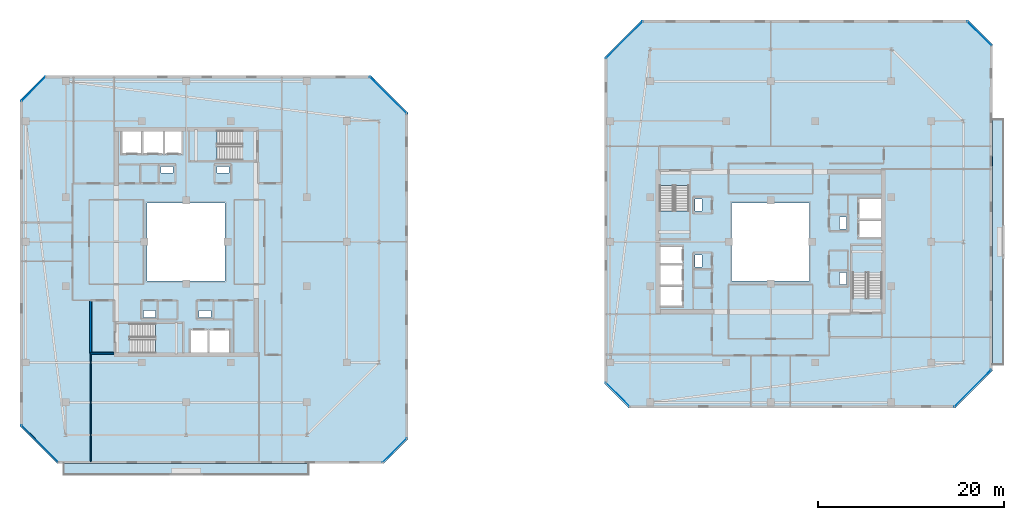
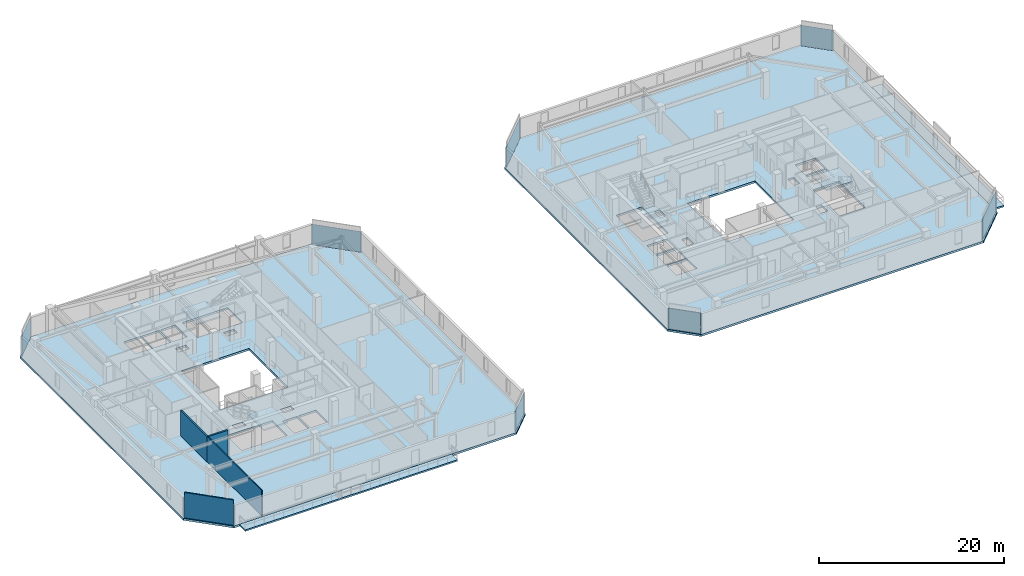
# One storey, part 20 of 34: 8 plates, 8 slabs, 4 walls, 12 elements without a shape of their own.
"""IFC4 building model written with IfcOpenShell, lengths in metres."""

from ifc_helpers import new_model, si_unit, direction, frame, frame_2d, origin, origin_2d, place, context, subcontext, project, spatial, polyline, rectangle, outline, extrude, material, layer, layer_set, type_object, element, aggregate, save


model = new_model("IFC4")

# Units and contexts
model_context = context("Model", 3, precision=1e-05, world=origin(), true_north=direction((0.0, 1.0)))
body_context = subcontext(model_context, "Body", "Model", "MODEL_VIEW")
ifc_project = project(units=[si_unit("LENGTHUNIT", "METRE"), si_unit("AREAUNIT", "SQUARE_METRE"), si_unit("VOLUMEUNIT", "CUBIC_METRE"), si_unit("PLANEANGLEUNIT", "RADIAN"), si_unit("MASSUNIT", "GRAM", prefix="KILO")], contexts=[model_context])

# Site, building, storey
site_placement = place(None, origin())
site = spatial("IfcSite", under=ifc_project, at=site_placement, CompositionType="ELEMENT")
building_placement = place(site_placement, origin())
building = spatial("IfcBuilding", under=site, at=building_placement, Name="Thornwick Lancets Civic Towers", CompositionType="ELEMENT")
storey_placement = place(building_placement, frame((0.0, 0.0, 258.300048828125)))
storey = spatial("IfcBuildingStorey", under=building, at=storey_placement, Name="L69", CompositionType="ELEMENT", Elevation=258.300048828125)

# Curtain wall, plate
ifc_material_1 = material(Name="High-zone chamfered-corner unitised glass curtain wall", Category="glass")
curtain_wall_type = type_object("IfcCurtainWallType", Name="CW_SYS_05", PredefinedType="NOTDEFINED", material=ifc_material_1)
curtain_wall_1_placement = place(storey_placement, origin())
curtain_wall_1 = element("IfcCurtainWall", 1, at=curtain_wall_1_placement, inside=storey, type_object=curtain_wall_type, Name="L69 Curtain Wall CW-L69-A-E1", PredefinedType="NOTDEFINED")
ifc_material_2 = material(Name="Low-e double glazing clear glass", Category="glass")
ifc_layer_1 = layer(ifc_material_2, 0.035888671875, Name="Low-e double glazing clear glass")
ifc_layer_set_1 = layer_set([ifc_layer_1], Name="Low-e double glazing clear glass")
plate_type = type_object("IfcPlateType", Name="CW_PNL_GLASS", PredefinedType="CURTAIN_PANEL", material=ifc_layer_set_1)
plate_1_placement = place(storey_placement, frame((47.972900390625, 4.527099609375, 0.0), z_axis=(0.0, 0.0, 1.0), x_axis=(0.707106781187, 0.707106781187, 0.0)))
plate_1 = element("IfcPlate", 2, at=plate_1_placement, type_object=plate_type, Name="CW-L69-A-E1 Panel 0", PredefinedType="CURTAIN_PANEL", context=body_context, shape_type="SweptSolid", body=[
    extrude(rectangle(XDim=3.649169921875, YDim=0.035888671875, at=origin_2d()), origin(), (0.0, 0.0, 1.0), 2.699951171875),
])
aggregate(curtain_wall_1, [plate_1])

curtain_wall_2_placement = place(storey_placement, origin())
curtain_wall_2 = element("IfcCurtainWall", 3, at=curtain_wall_2_placement, inside=storey, type_object=curtain_wall_type, Name="L69 Curtain Wall CW-L69-A-E3", PredefinedType="NOTDEFINED")
plate_2_placement = place(storey_placement, frame((47.281005859375, 42.781005859375, 0.0), z_axis=(0.0, 0.0, 1.0), x_axis=(-0.707106781187, 0.707106781187, 0.0)))
plate_2 = element("IfcPlate", 4, at=plate_2_placement, type_object=plate_type, Name="CW-L69-A-E3 Panel 0", PredefinedType="CURTAIN_PANEL", context=body_context, shape_type="SweptSolid", body=[
    extrude(rectangle(XDim=5.593994140625, YDim=0.035888671875, at=origin_2d()), origin(), (0.0, 0.0, 1.0), 2.699951171875),
])
aggregate(curtain_wall_2, [plate_2])

curtain_wall_3_placement = place(storey_placement, origin())
curtain_wall_3 = element("IfcCurtainWall", 5, at=curtain_wall_3_placement, inside=storey, type_object=curtain_wall_type, Name="L69 Curtain Wall CW-L69-A-E5", PredefinedType="NOTDEFINED")
plate_3_placement = place(storey_placement, frame((9.027099609375, 43.472900390625, 0.0), z_axis=(0.0, 0.0, 1.0), x_axis=(-0.707106781187, -0.707106781187, 0.0)))
plate_3 = element("IfcPlate", 6, at=plate_3_placement, type_object=plate_type, Name="CW-L69-A-E5 Panel 0", PredefinedType="CURTAIN_PANEL", context=body_context, shape_type="SweptSolid", body=[
    extrude(rectangle(XDim=3.649169921875, YDim=0.035888671875, at=origin_2d()), origin(), (0.0, 0.0, 1.0), 2.699951171875),
])
aggregate(curtain_wall_3, [plate_3])

curtain_wall_4_placement = place(storey_placement, origin())
curtain_wall_4 = element("IfcCurtainWall", 7, at=curtain_wall_4_placement, inside=storey, type_object=curtain_wall_type, Name="L69 Curtain Wall CW-L69-A-E7", PredefinedType="NOTDEFINED")
plate_4_placement = place(storey_placement, frame((9.718994140625, 5.218994140625, 0.0), z_axis=(0.0, 0.0, 1.0), x_axis=(0.707106781187, -0.707106781187, 0.0)))
plate_4 = element("IfcPlate", 8, at=plate_4_placement, type_object=plate_type, Name="CW-L69-A-E7 Panel 0", PredefinedType="CURTAIN_PANEL", context=body_context, shape_type="SweptSolid", body=[
    extrude(rectangle(XDim=5.593994140625, YDim=0.035888671875, at=origin_2d()), origin(), (0.0, 0.0, 1.0), 2.699951171875),
])
aggregate(curtain_wall_4, [plate_4])

curtain_wall_5_placement = place(storey_placement, origin())
curtain_wall_5 = element("IfcCurtainWall", 9, at=curtain_wall_5_placement, inside=storey, type_object=curtain_wall_type, Name="L69 Curtain Wall CW-L69-B-E1", PredefinedType="NOTDEFINED")
plate_5_placement = place(storey_placement, frame((110.281005859375, 11.218994140625, 0.0), z_axis=(0.0, 0.0, 1.0), x_axis=(0.707106781187, 0.707106781187, 0.0)))
plate_5 = element("IfcPlate", 10, at=plate_5_placement, type_object=plate_type, Name="CW-L69-B-E1 Panel 0", PredefinedType="CURTAIN_PANEL", context=body_context, shape_type="SweptSolid", body=[
    extrude(rectangle(XDim=5.593994140625, YDim=0.035888671875, at=origin_2d()), origin(), (0.0, 0.0, 1.0), 2.699951171875),
])
aggregate(curtain_wall_5, [plate_5])

curtain_wall_6_placement = place(storey_placement, origin())
curtain_wall_6 = element("IfcCurtainWall", 11, at=curtain_wall_6_placement, inside=storey, type_object=curtain_wall_type, Name="L69 Curtain Wall CW-L69-B-E3", PredefinedType="NOTDEFINED")
plate_6_placement = place(storey_placement, frame((110.972900390625, 49.472900390625, 0.0), z_axis=(0.0, 0.0, 1.0), x_axis=(-0.707106781187, 0.707106781187, 0.0)))
plate_6 = element("IfcPlate", 12, at=plate_6_placement, type_object=plate_type, Name="CW-L69-B-E3 Panel 0", PredefinedType="CURTAIN_PANEL", context=body_context, shape_type="SweptSolid", body=[
    extrude(rectangle(XDim=3.649169921875, YDim=0.035888671875, at=origin_2d()), origin(), (0.0, 0.0, 1.0), 2.699951171875),
])
aggregate(curtain_wall_6, [plate_6])

curtain_wall_7_placement = place(storey_placement, origin())
curtain_wall_7 = element("IfcCurtainWall", 13, at=curtain_wall_7_placement, inside=storey, type_object=curtain_wall_type, Name="L69 Curtain Wall CW-L69-B-E5", PredefinedType="NOTDEFINED")
plate_7_placement = place(storey_placement, frame((72.718994140625, 48.781005859375, 0.0), z_axis=(0.0, 0.0, 1.0), x_axis=(-0.707106781187, -0.707106781187, 0.0)))
plate_7 = element("IfcPlate", 14, at=plate_7_placement, type_object=plate_type, Name="CW-L69-B-E5 Panel 0", PredefinedType="CURTAIN_PANEL", context=body_context, shape_type="SweptSolid", body=[
    extrude(rectangle(XDim=5.593994140625, YDim=0.035888671875, at=origin_2d()), origin(), (0.0, 0.0, 1.0), 2.699951171875),
])
aggregate(curtain_wall_7, [plate_7])

curtain_wall_8_placement = place(storey_placement, origin())
curtain_wall_8 = element("IfcCurtainWall", 15, at=curtain_wall_8_placement, inside=storey, type_object=curtain_wall_type, Name="L69 Curtain Wall CW-L69-B-E7", PredefinedType="NOTDEFINED")
plate_8_placement = place(storey_placement, frame((72.027099609375, 10.527099609375, 0.0), z_axis=(0.0, 0.0, 1.0), x_axis=(0.707106781187, -0.707106781187, 0.0)))
plate_8 = element("IfcPlate", 16, at=plate_8_placement, type_object=plate_type, Name="CW-L69-B-E7 Panel 0", PredefinedType="CURTAIN_PANEL", context=body_context, shape_type="SweptSolid", body=[
    extrude(rectangle(XDim=3.649169921875, YDim=0.035888671875, at=origin_2d()), origin(), (0.0, 0.0, 1.0), 2.699951171875),
])
aggregate(curtain_wall_8, [plate_8])

# Slabs
ifc_material_3 = material(Name="Post-tensioned concrete C40/50", Category="concrete")
ifc_layer_2 = layer(ifc_material_3, 0.199951171875, Name="Post-tensioned concrete C40/50")
ifc_layer_set_2 = layer_set([ifc_layer_2], Name="Post-tensioned concrete C40/50")
slab_type_1 = type_object("IfcSlabType", Name="SLAB_BALCONY_200", PredefinedType="FLOOR", material=ifc_layer_set_2)
slab_1_placement = place(storey_placement, frame((0.0, 0.0, -0.199951171875)))
element("IfcSlab", 17, at=slab_1_placement, inside=storey, type_object=slab_type_1, Name="L69 Tower A Planted Balcony Slab S", PredefinedType="FLOOR", context=body_context, shape_type="SweptSolid", body=[
    extrude(outline(polyline([(12.300048828125, 1.85009765625), (38.699951171875, 1.85009765625), (38.699951171875, 3.10009765625), (12.300048828125, 3.10009765625), (12.300048828125, 1.85009765625)])), origin(), (0.0, 0.0, 1.0), 0.199951171875),
])
slab_2_placement = place(storey_placement, frame((0.0, 0.0, -0.199951171875)))
element("IfcSlab", 18, at=slab_2_placement, inside=storey, type_object=slab_type_1, Name="L69 Tower B Planted Balcony Slab E", PredefinedType="FLOOR", context=body_context, shape_type="SweptSolid", body=[
    extrude(outline(polyline([(112.39990234375, 13.800048828125), (113.64990234375, 13.800048828125), (113.64990234375, 40.199951171875), (112.39990234375, 40.199951171875), (112.39990234375, 13.800048828125)])), origin(), (0.0, 0.0, 1.0), 0.199951171875),
])

# Stair, slab
ifc_material_4 = material(Name="Concrete C40/50", Category="concrete")
stair_type = type_object("IfcStairType", Name="STAIR_DL_3600", PredefinedType="HALF_TURN_STAIR", material=ifc_material_4)
stair_1_placement = place(storey_placement, origin())
stair_1 = element("IfcStair", 19, at=stair_1_placement, inside=storey, type_object=stair_type, Name="L69 Tower A South Exit Stair ST-A1", PredefinedType="HALF_TURN_STAIR")
ifc_layer_3 = layer(ifc_material_4, 0.25, Name="Concrete C40/50")
ifc_layer_set_3 = layer_set([ifc_layer_3], Name="Concrete C40/50")
slab_type_2 = type_object("IfcSlabType", Name="SLAB_LANDING_200", PredefinedType="LANDING", material=ifc_layer_set_3)
slab_3_placement = place(storey_placement, frame((0.0, 0.0, 1.60302734375)))
slab_3 = element("IfcSlab", 20, at=slab_3_placement, type_object=slab_type_2, Name="ST-A1 landing 1", PredefinedType="LANDING", context=body_context, shape_type="SweptSolid", body=[
    extrude(outline(polyline([(22.169921875, 14.93994140625), (25.14990234375, 14.93994140625), (25.14990234375, 18.260009765625), (22.169921875, 18.260009765625), (22.169921875, 14.93994140625)])), origin(), (0.0, 0.0, 1.0), 0.199951171875),
])
aggregate(stair_1, [slab_3])

stair_2_placement = place(storey_placement, origin())
stair_2 = element("IfcStair", 21, at=stair_2_placement, inside=storey, type_object=stair_type, Name="L69 Tower A North Exit Stair ST-A2", PredefinedType="HALF_TURN_STAIR")
slab_4_placement = place(storey_placement, frame((0.0, 0.0, 1.60302734375)))
slab_4 = element("IfcSlab", 22, at=slab_4_placement, type_object=slab_type_2, Name="ST-A2 landing 1", PredefinedType="LANDING", context=body_context, shape_type="SweptSolid", body=[
    extrude(outline(polyline([(28.830078125, 39.06005859375), (25.85009765625, 39.06005859375), (25.85009765625, 35.739990234375), (28.830078125, 35.739990234375), (28.830078125, 39.06005859375)])), origin(), (0.0, 0.0, 1.0), 0.199951171875),
])
aggregate(stair_2, [slab_4])

stair_3_placement = place(storey_placement, origin())
stair_3 = element("IfcStair", 23, at=stair_3_placement, inside=storey, type_object=stair_type, Name="L69 Tower B East Exit Stair ST-B1", PredefinedType="HALF_TURN_STAIR")
slab_5_placement = place(storey_placement, frame((0.0, 0.0, 1.60302734375)))
slab_5 = element("IfcSlab", 24, at=slab_5_placement, type_object=slab_type_2, Name="ST-B1 landing 1", PredefinedType="LANDING", context=body_context, shape_type="SweptSolid", body=[
    extrude(outline(polyline([(100.56005859375, 23.669921875), (100.56005859375, 26.64990234375), (97.239990234375, 26.64990234375), (97.239990234375, 23.669921875), (100.56005859375, 23.669921875)])), origin(), (0.0, 0.0, 1.0), 0.199951171875),
])
aggregate(stair_3, [slab_5])

stair_4_placement = place(storey_placement, origin())
stair_4 = element("IfcStair", 25, at=stair_4_placement, inside=storey, type_object=stair_type, Name="L69 Tower B West Exit Stair ST-B2", PredefinedType="HALF_TURN_STAIR")
slab_6_placement = place(storey_placement, frame((0.0, 0.0, 1.60302734375)))
slab_6 = element("IfcSlab", 26, at=slab_6_placement, type_object=slab_type_2, Name="ST-B2 landing 1", PredefinedType="LANDING", context=body_context, shape_type="SweptSolid", body=[
    extrude(outline(polyline([(76.43994140625, 30.330078125), (76.43994140625, 27.35009765625), (79.760009765625, 27.35009765625), (79.760009765625, 30.330078125), (76.43994140625, 30.330078125)])), origin(), (0.0, 0.0, 1.0), 0.199951171875),
])
aggregate(stair_4, [slab_6])

# Slabs
ifc_layer_4 = layer(ifc_material_3, 0.260009765625, Name="Post-tensioned concrete C40/50")
ifc_layer_set_4 = layer_set([ifc_layer_4], Name="Post-tensioned concrete C40/50")
slab_type_3 = type_object("IfcSlabType", Name="SLAB_PT_260", PredefinedType="FLOOR", material=ifc_layer_set_4)
slab_7_placement = place(storey_placement, frame((0.0, 0.0, -0.260009765625)))
element("IfcSlab", 27, at=slab_7_placement, inside=storey, type_object=slab_type_3, Name="L69 Tower A Floor Slab", PredefinedType="FLOOR", context=body_context, shape_type="SweptSolid", body=[
    extrude(outline(polyline([(11.5849609375, 3.10009765625), (46.800048828125, 3.10009765625), (49.39990234375, 5.699951171875), (49.39990234375, 40.9150390625), (45.4150390625, 44.89990234375), (10.199951171875, 44.89990234375), (7.60009765625, 42.300048828125), (7.60009765625, 7.0849609375), (11.5849609375, 3.10009765625)]), holes=[polyline([(21.300048828125, 22.800048828125), (29.699951171875, 22.800048828125), (29.699951171875, 31.199951171875), (21.300048828125, 31.199951171875), (21.300048828125, 22.800048828125)]), polyline([(19.429931640625, 15.0), (25.10009765625, 15.0), (25.10009765625, 18.199951171875), (19.429931640625, 18.199951171875), (19.429931640625, 15.0)]), polyline([(31.570068359375, 39.0), (25.89990234375, 39.0), (25.89990234375, 35.800048828125), (31.570068359375, 35.800048828125), (31.570068359375, 39.0)]), polyline([(26.0, 15.0), (27.800048828125, 15.0), (27.800048828125, 17.550048828125), (26.0, 17.550048828125), (26.0, 15.0)]), polyline([(28.0, 15.0), (30.14990234375, 15.0), (30.14990234375, 17.550048828125), (28.0, 17.550048828125), (28.0, 15.0)]), polyline([(23.199951171875, 36.449951171875), (25.0, 36.449951171875), (25.0, 39.0), (23.199951171875, 39.0), (23.199951171875, 36.449951171875)]), polyline([(20.85009765625, 36.449951171875), (23.0, 36.449951171875), (23.0, 39.0), (20.85009765625, 39.0), (20.85009765625, 36.449951171875)]), polyline([(18.60009765625, 36.449951171875), (20.699951171875, 36.449951171875), (20.699951171875, 39.0), (18.60009765625, 39.0), (18.60009765625, 36.449951171875)]), polyline([(26.89990234375, 18.85009765625), (28.199951171875, 18.85009765625), (28.199951171875, 19.580078125), (26.89990234375, 19.580078125), (26.89990234375, 18.85009765625)]), polyline([(20.89990234375, 18.85009765625), (22.199951171875, 18.85009765625), (22.199951171875, 19.580078125), (20.89990234375, 19.580078125), (20.89990234375, 18.85009765625)]), polyline([(22.800048828125, 34.419921875), (24.10009765625, 34.419921875), (24.10009765625, 35.14990234375), (22.800048828125, 35.14990234375), (22.800048828125, 34.419921875)]), polyline([(28.800048828125, 34.419921875), (30.10009765625, 34.419921875), (30.10009765625, 35.14990234375), (28.800048828125, 35.14990234375), (28.800048828125, 34.419921875)])]), origin(), (0.0, 0.0, 1.0), 0.260009765625),
])
slab_8_placement = place(storey_placement, frame((0.0, 0.0, -0.260009765625)))
element("IfcSlab", 28, at=slab_8_placement, inside=storey, type_object=slab_type_3, Name="L69 Tower B Floor Slab", PredefinedType="FLOOR", context=body_context, shape_type="SweptSolid", body=[
    extrude(outline(polyline([(73.199951171875, 9.10009765625), (108.4150390625, 9.10009765625), (112.39990234375, 13.0849609375), (112.39990234375, 48.300048828125), (109.800048828125, 50.89990234375), (74.5849609375, 50.89990234375), (70.60009765625, 46.9150390625), (70.60009765625, 11.699951171875), (73.199951171875, 9.10009765625)]), holes=[polyline([(84.300048828125, 22.800048828125), (92.699951171875, 22.800048828125), (92.699951171875, 31.199951171875), (84.300048828125, 31.199951171875), (84.300048828125, 22.800048828125)]), polyline([(100.5, 20.929931640625), (100.5, 26.60009765625), (97.300048828125, 26.60009765625), (97.300048828125, 20.929931640625), (100.5, 20.929931640625)]), polyline([(76.5, 33.070068359375), (76.5, 27.39990234375), (79.699951171875, 27.39990234375), (79.699951171875, 33.070068359375), (76.5, 33.070068359375)]), polyline([(97.949951171875, 27.5), (100.5, 27.5), (100.5, 29.300048828125), (97.949951171875, 29.300048828125), (97.949951171875, 27.5)]), polyline([(97.949951171875, 29.5), (100.5, 29.5), (100.5, 31.64990234375), (97.949951171875, 31.64990234375), (97.949951171875, 29.5)]), polyline([(76.5, 24.699951171875), (79.050048828125, 24.699951171875), (79.050048828125, 26.5), (76.5, 26.5), (76.5, 24.699951171875)]), polyline([(76.5, 22.35009765625), (79.050048828125, 22.35009765625), (79.050048828125, 24.5), (76.5, 24.5), (76.5, 22.35009765625)]), polyline([(76.5, 20.10009765625), (79.050048828125, 20.10009765625), (79.050048828125, 22.199951171875), (76.5, 22.199951171875), (76.5, 20.10009765625)]), polyline([(95.919921875, 28.39990234375), (96.64990234375, 28.39990234375), (96.64990234375, 29.699951171875), (95.919921875, 29.699951171875), (95.919921875, 28.39990234375)]), polyline([(95.919921875, 22.39990234375), (96.64990234375, 22.39990234375), (96.64990234375, 23.699951171875), (95.919921875, 23.699951171875), (95.919921875, 22.39990234375)]), polyline([(80.35009765625, 24.300048828125), (81.080078125, 24.300048828125), (81.080078125, 25.60009765625), (80.35009765625, 25.60009765625), (80.35009765625, 24.300048828125)]), polyline([(80.35009765625, 30.300048828125), (81.080078125, 30.300048828125), (81.080078125, 31.60009765625), (80.35009765625, 31.60009765625), (80.35009765625, 30.300048828125)])]), origin(), (0.0, 0.0, 1.0), 0.260009765625),
])

# Walls
ifc_material_5 = material(Name="Concrete blockwork C40/50", Category="masonry")
ifc_layer_5 = layer(ifc_material_5, 0.199951171875, Name="Concrete blockwork C40/50")
ifc_layer_set_5 = layer_set([ifc_layer_5], Name="Concrete blockwork C40/50")
wall_type_1 = type_object("IfcWallType", Name="WALL_COMP_200", PredefinedType="STANDARD", material=ifc_layer_set_5)
wall_1_placement = place(storey_placement, frame((15.199951171875, 15.0, 0.0), z_axis=(0.0, 0.0, 1.0), x_axis=(1.0, 0.0, 0.0)))
element("IfcWall", 29, at=wall_1_placement, inside=storey, type_object=wall_type_1, Name="L69 Partition L69-A-FFLOB1 E1", PredefinedType="STANDARD", context=body_context, shape_type="SweptSolid", body=[
    extrude(rectangle(XDim=2.5, YDim=0.199951171875, at=frame_2d((1.25, 0.0))), origin(), (0.0, 0.0, 1.0), 3.33984375),
])
wall_2_placement = place(storey_placement, frame((15.199951171875, 20.699951171875, 0.0), z_axis=(0.0, 0.0, 1.0), x_axis=(0.0, -1.0, 0.0)))
element("IfcWall", 30, at=wall_2_placement, inside=storey, type_object=wall_type_1, Name="L69 Partition L69-A-FFLOB1 E4", PredefinedType="STANDARD", context=body_context, shape_type="SweptSolid", body=[
    extrude(rectangle(XDim=5.699951171875, YDim=0.199951171875, at=frame_2d((2.85009765625, 0.0))), origin(), (0.0, 0.0, 1.0), 3.33984375),
])
ifc_material_6 = material(Name="Acoustic gypsum board partition")
ifc_layer_6 = layer(ifc_material_6, 0.1201171875, Name="Acoustic gypsum board partition")
ifc_layer_set_6 = layer_set([ifc_layer_6], Name="Acoustic gypsum board partition")
wall_type_2 = type_object("IfcWallType", Name="WALL_PART_120", PredefinedType="PARTITIONING", material=ifc_layer_set_6)
wall_3_placement = place(storey_placement, frame((15.199951171875, 15.0, 0.0), z_axis=(0.0, 0.0, 1.0), x_axis=(0.0, -1.0, 0.0)))
element("IfcWall", 31, at=wall_3_placement, inside=storey, type_object=wall_type_2, Name="L69 Partition L69-A-W1 E5", PredefinedType="PARTITIONING", context=body_context, shape_type="SweptSolid", body=[
    extrude(rectangle(XDim=11.719970703125, YDim=0.1201171875, at=frame_2d((5.85986328125, 0.0))), origin(), (0.0, 0.0, 1.0), 3.33984375),
])
wall_4_placement = place(storey_placement, frame((11.65966796875, 3.280029296875, 0.0), z_axis=(0.0, 0.0, 1.0), x_axis=(-0.707106781187, 0.707106781187, 0.0)))
element("IfcWall", 32, at=wall_4_placement, inside=storey, type_object=wall_type_2, Name="L69 Partition L69-A-W1 E7", PredefinedType="PARTITIONING", context=body_context, shape_type="SweptSolid", body=[
    extrude(rectangle(XDim=5.486572265625, YDim=0.1201171875, at=frame_2d((2.7431640625, 0.0))), origin(), (0.0, 0.0, 1.0), 3.33984375),
])

save(model, "model.ifc")
